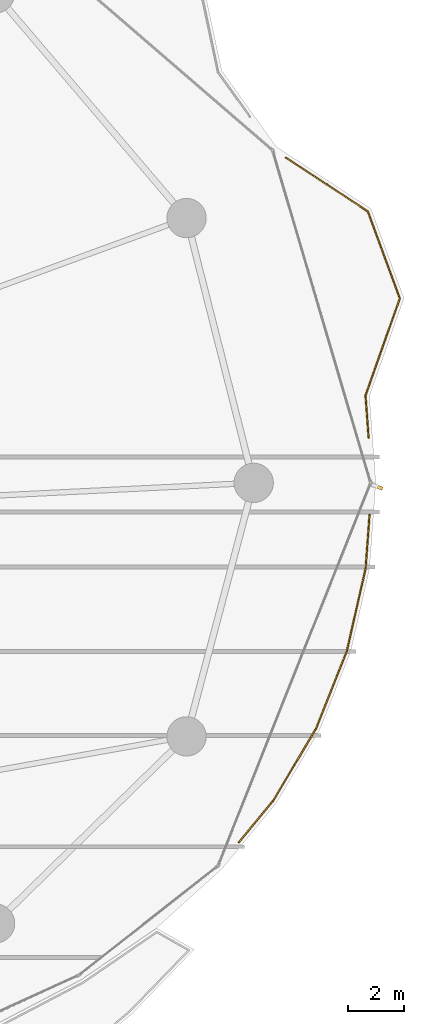
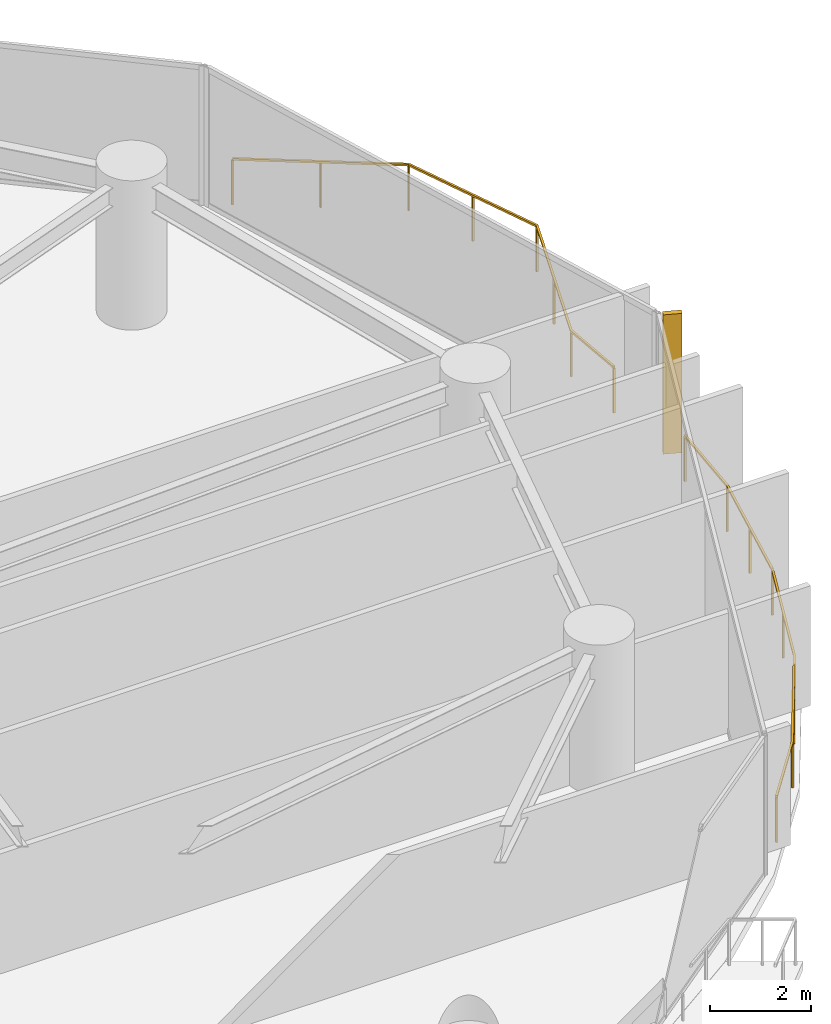
# One storey, part 33 of 33: 2 railings, 1 shading device.
"""IFC4 building model written with IfcOpenShell, lengths in metres."""

from ifc_helpers import new_model, si_unit, direction, frame, origin, origin_2d, place, context, subcontext, project, spatial, rectangle, extrude, material, type_object, element, save


model = new_model("IFC4")

# Units and contexts
model_context = context("Model", 3, precision=1e-05, world=origin(), true_north=direction((0.0, 1.0)))
body_context = subcontext(model_context, "Body", "Model", "MODEL_VIEW")
ifc_project = project(units=[si_unit("LENGTHUNIT", "METRE"), si_unit("AREAUNIT", "SQUARE_METRE"), si_unit("VOLUMEUNIT", "CUBIC_METRE"), si_unit("PLANEANGLEUNIT", "RADIAN"), si_unit("MASSUNIT", "GRAM", prefix="KILO")], contexts=[model_context])

# Site, building, storey
site_placement = place(None, origin())
site = spatial("IfcSite", under=ifc_project, at=site_placement, CompositionType="ELEMENT")
building_placement = place(site_placement, origin())
building = spatial("IfcBuilding", under=site, at=building_placement, Name="Kazevale Care Tower and Concert Hall", CompositionType="ELEMENT")
storey_placement = place(building_placement, frame((0.0, 0.0, 52.800048828125)))
storey = spatial("IfcBuildingStorey", under=building, at=storey_placement, Name="L13", CompositionType="ELEMENT", Elevation=52.800048828125)

# Railings
ifc_material_1 = material(Name="Anodised Bronze Aluminium and Laminated Glass", Category="aluminium")
railing_type = type_object("IfcRailingType", Name="Balcony and Terrace Balustrade 1120", PredefinedType="BALUSTRADE", material=ifc_material_1)
railing_1_placement = place(storey_placement, frame((80.575927734375, 36.864990234375, 0.0)))
element("IfcRailing", 1, at=railing_1_placement, inside=storey, type_object=railing_type, Name="rail:L13:perim:10", PredefinedType="BALUSTRADE", context=body_context, shape_type="SweptSolid", body=[
    extrude(rectangle(XDim=0.048095703125, YDim=0.048095703125, at=origin_2d()), frame((0.0, 0.0, 1.09619140625), z_axis=(-0.072929321708, -0.99733711153, 0.0), x_axis=(0.99733711153, -0.072929321708, 0.0)), (0.0, 0.0, 1.0), 1.918212890625),
    extrude(rectangle(XDim=0.048095703125, YDim=0.048095703125, at=origin_2d()), frame((-0.139892578125, -1.9130859375, 1.09619140625), z_axis=(-0.22169815306, -0.975115341347, 0.0), x_axis=(0.975115341347, -0.22169815306, 0.0)), (0.0, 0.0, 1.0), 3.012939453125),
    extrude(rectangle(XDim=0.048095703125, YDim=0.048095703125, at=origin_2d()), frame((-0.807861328125, -4.85107421875, 1.09619140625), z_axis=(-0.369500413357, -0.92923056586, 0.0), x_axis=(0.92923056586, -0.369500413357, 0.0)), (0.0, 0.0, 1.0), 2.985107421875),
    extrude(rectangle(XDim=0.048095703125, YDim=0.048095703125, at=origin_2d()), frame((-1.910888671875, -7.625, 1.09619140625), z_axis=(-0.510655847211, -0.859785209055, 0.0), x_axis=(0.859785209055, -0.510655847211, 0.0)), (0.0, 0.0, 1.0), 2.986572265625),
    extrude(rectangle(XDim=0.048095703125, YDim=0.048095703125, at=origin_2d()), frame((-3.43603515625, -10.19287109375, 1.09619140625), z_axis=(-0.636478085384, -0.771294785945, 0.0), x_axis=(0.771294785945, -0.636478085384, 0.0)), (0.0, 0.0, 1.0), 1.90869140625),
    extrude(rectangle(XDim=0.0419921875, YDim=0.0419921875, at=origin_2d()), origin(), (0.0, 0.0, 1.0), 1.072021484375),
    extrude(rectangle(XDim=0.0419921875, YDim=0.0419921875, at=origin_2d()), frame((-0.139892578125, -1.9130859375, 0.0)), (0.0, 0.0, 1.0), 1.072021484375),
    extrude(rectangle(XDim=0.0419921875, YDim=0.0419921875, at=origin_2d()), frame((-0.473876953125, -3.382080078125, 0.0)), (0.0, 0.0, 1.0), 1.072021484375),
    extrude(rectangle(XDim=0.0419921875, YDim=0.0419921875, at=origin_2d()), frame((-0.807861328125, -4.85107421875, 0.0)), (0.0, 0.0, 1.0), 1.072021484375),
    extrude(rectangle(XDim=0.0419921875, YDim=0.0419921875, at=origin_2d()), frame((-1.359375, -6.238037109375, 0.0)), (0.0, 0.0, 1.0), 1.072021484375),
    extrude(rectangle(XDim=0.0419921875, YDim=0.0419921875, at=origin_2d()), frame((-1.910888671875, -7.625, 0.0)), (0.0, 0.0, 1.0), 1.072021484375),
    extrude(rectangle(XDim=0.0419921875, YDim=0.0419921875, at=origin_2d()), frame((-2.67333984375, -8.908935546875, 0.0)), (0.0, 0.0, 1.0), 1.072021484375),
    extrude(rectangle(XDim=0.0419921875, YDim=0.0419921875, at=origin_2d()), frame((-3.43603515625, -10.19287109375, 0.0)), (0.0, 0.0, 1.0), 1.072021484375),
    extrude(rectangle(XDim=0.0419921875, YDim=0.0419921875, at=origin_2d()), frame((-4.65087890625, -11.6650390625, 0.0)), (0.0, 0.0, 1.0), 1.072021484375),
])
railing_2_placement = place(storey_placement, frame((77.60205078125, 49.580078125, 0.0)))
element("IfcRailing", 2, at=railing_2_placement, inside=storey, type_object=railing_type, Name="rail:L13:perim:11", PredefinedType="BALUSTRADE", context=body_context, shape_type="SweptSolid", body=[
    extrude(rectangle(XDim=0.048095703125, YDim=0.048095703125, at=origin_2d()), frame((0.0, 0.0, 1.09619140625), z_axis=(0.836080040141, -0.548607479422, 0.0), x_axis=(0.548607479422, 0.836080040141, 0.0)), (0.0, 0.0, 1.0), 3.4853515625),
    extrude(rectangle(XDim=0.048095703125, YDim=0.048095703125, at=origin_2d()), frame((2.9140625, -1.912109375, 1.09619140625), z_axis=(0.34544454401, -0.938439165324, 0.0), x_axis=(0.938439165324, 0.34544454401, 0.0)), (0.0, 0.0, 1.0), 3.296875),
    extrude(rectangle(XDim=0.048095703125, YDim=0.048095703125, at=origin_2d()), frame((4.052978515625, -5.006103515625, 1.09619140625), z_axis=(-0.332566381025, -0.94307984933, 0.0), x_axis=(0.94307984933, -0.332566381025, 0.0)), (0.0, 0.0, 1.0), 3.67431640625),
    extrude(rectangle(XDim=0.048095703125, YDim=0.048095703125, at=origin_2d()), frame((2.8310546875, -8.47119140625, 1.09619140625), z_axis=(0.072904890187, -0.997338897761, 0.0), x_axis=(0.997338897761, 0.072904890187, 0.0)), (0.0, 0.0, 1.0), 1.5068359375),
    extrude(rectangle(XDim=0.0419921875, YDim=0.0419921875, at=origin_2d()), origin(), (0.0, 0.0, 1.0), 1.072021484375),
    extrude(rectangle(XDim=0.0419921875, YDim=0.0419921875, at=origin_2d()), frame((1.45703125, -0.9560546875, 0.0)), (0.0, 0.0, 1.0), 1.072021484375),
    extrude(rectangle(XDim=0.0419921875, YDim=0.0419921875, at=origin_2d()), frame((2.9140625, -1.912109375, 0.0)), (0.0, 0.0, 1.0), 1.072021484375),
    extrude(rectangle(XDim=0.0419921875, YDim=0.0419921875, at=origin_2d()), frame((3.4833984375, -3.458984375, 0.0)), (0.0, 0.0, 1.0), 1.072021484375),
    extrude(rectangle(XDim=0.0419921875, YDim=0.0419921875, at=origin_2d()), frame((4.052978515625, -5.006103515625, 0.0)), (0.0, 0.0, 1.0), 1.072021484375),
    extrude(rectangle(XDim=0.0419921875, YDim=0.0419921875, at=origin_2d()), frame((3.44189453125, -6.73876953125, 0.0)), (0.0, 0.0, 1.0), 1.072021484375),
    extrude(rectangle(XDim=0.0419921875, YDim=0.0419921875, at=origin_2d()), frame((2.8310546875, -8.47119140625, 0.0)), (0.0, 0.0, 1.0), 1.072021484375),
    extrude(rectangle(XDim=0.0419921875, YDim=0.0419921875, at=origin_2d()), frame((2.94091796875, -9.97412109375, 0.0)), (0.0, 0.0, 1.0), 1.072021484375),
])

# Shading device
ifc_material_2 = material(Name="Honed Ochre Limestone", Category="masonry")
shading_device_type = type_object("IfcShadingDeviceType", Name="Vertical Honed Limestone Fin FIN-01", PredefinedType="USERDEFINED", material=ifc_material_2)
shading_device_placement = place(storey_placement, frame((80.861572265625, 37.860595703125, 0.0), z_axis=(0.0, 0.0, 1.0), x_axis=(0.928874213199, -0.370395324019, 0.0)))
element("IfcShadingDevice", 3, at=shading_device_placement, inside=storey, type_object=shading_device_type, Name="cw:L13:f01:fin", ObjectType="FIN", PredefinedType="USERDEFINED", context=body_context, shape_type="SweptSolid", body=[
    extrude(rectangle(XDim=0.3798828125, YDim=0.1201171875, at=origin_2d()), origin(), (0.0, 0.0, 1.0), 3.360107421875),
])

save(model, "model.ifc")
